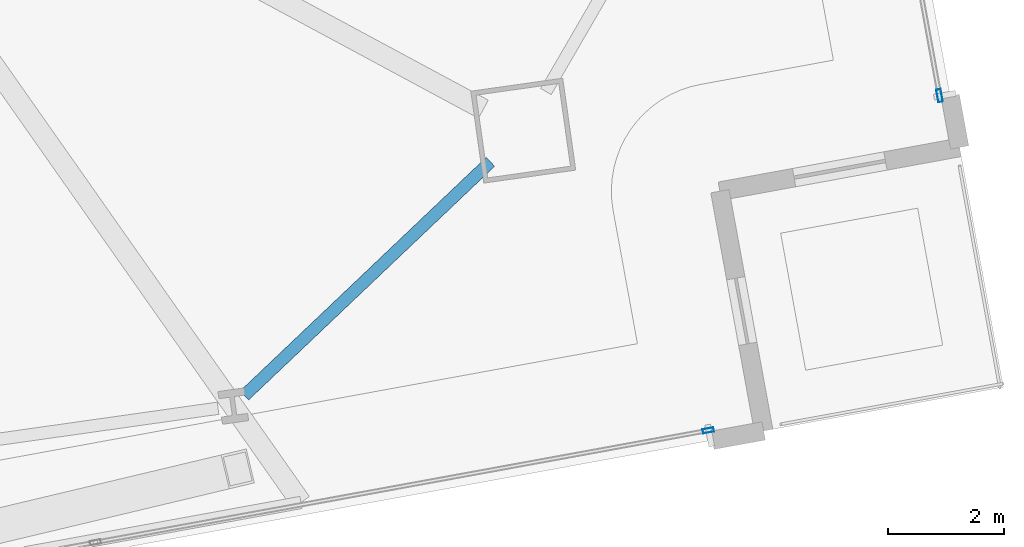
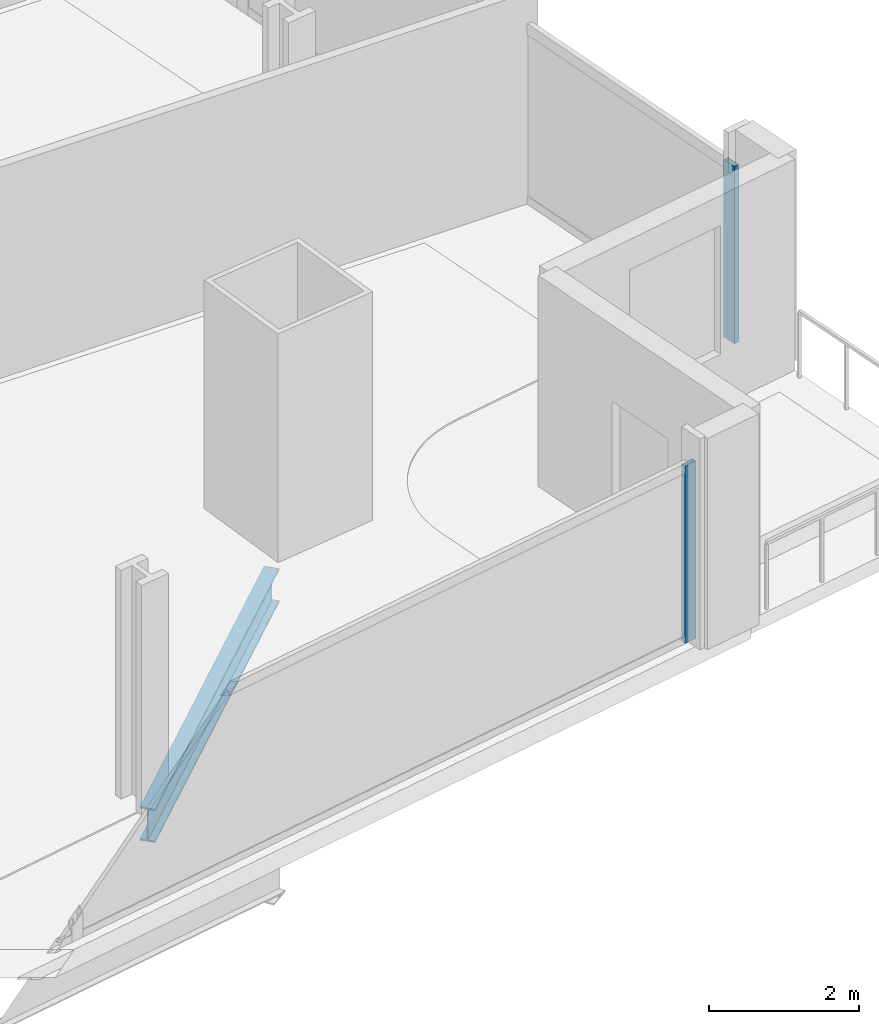
# One storey, part 11 of 34: 2 members, 1 beam, 2 elements without a shape of their own.
"""IFC4 building model written with IfcOpenShell, lengths in metres."""

import ifcopenshell
import ifcopenshell.guid

model = None  # the IFC model being written
_history = None  # IfcOwnerHistory: only IFC2X3 demands one
_inside = {}  # id of a spatial element -> (the spatial element, [elements in it])
_under = {}  # id of a project, library or spatial element -> (it, [spatial elements below it])
_declared = {}  # id of a project -> (the project, [libraries it declares])
_typed = {}  # id of a type object -> (the type object, [elements of that type])
_made_of = {}  # id of a material, layer set ... -> (it, [elements and type objects made of it])


def new_model(schema):
    """Start an empty IFC model of exactly this schema.

    Asked for "IFC4X3", IfcOpenShell would pick the latest addendum, in which some entities
    have other attributes; the version numbers below select the first issue.
    IFC2X3 requires an IfcOwnerHistory on every rooted entity: one is made here for all.
    """
    global model, _history
    if schema == "IFC4X3":
        model = ifcopenshell.file(schema_version=(4, 3, 0, 0))
    else:
        model = ifcopenshell.file(schema=schema)
    _inside.clear()
    _under.clear()
    _declared.clear()
    _typed.clear()
    _made_of.clear()
    _history = None
    if model.schema == "IFC2X3":
        org = make("IfcOrganization", Name="unknown")
        user = make(
            "IfcPersonAndOrganization",
            ThePerson=make("IfcPerson", FamilyName="unknown"),
            TheOrganization=org,
        )
        app = make(
            "IfcApplication",
            ApplicationDeveloper=org,
            Version="unknown",
            ApplicationFullName="unknown",
            ApplicationIdentifier="unknown",
        )
        _history = make(
            "IfcOwnerHistory",
            OwningUser=user,
            OwningApplication=app,
            ChangeAction="ADDED",
            CreationDate=0,
        )
    return model


def make(cls, **values):
    """One entity of the class cls with the attributes given. An attribute that is None is left unset."""
    return model.create_entity(
        cls, **{name: value for name, value in values.items() if value is not None}
    )


def rooted(cls, **values):
    """An entity with a GlobalId (a new one), such as an element, a storey or a relation."""
    return make(cls, GlobalId=ifcopenshell.guid.new(), OwnerHistory=_history, **values)


def si_unit(unit_type, name, prefix=None):
    """IfcSIUnit, for example si_unit("LENGTHUNIT", "METRE", prefix="MILLI")."""
    return make("IfcSIUnit", UnitType=unit_type, Prefix=prefix, Name=name)


def assignment(units):
    """IfcUnitAssignment: the units of a project."""
    return None if units is None else make("IfcUnitAssignment", Units=units)


def point(xyz):
    """IfcCartesianPoint."""
    return None if xyz is None else make("IfcCartesianPoint", Coordinates=xyz)


def direction(xyz):
    """IfcDirection."""
    return None if xyz is None else make("IfcDirection", DirectionRatios=xyz)


def frame(location, z_axis=None, x_axis=None):
    """IfcAxis2Placement3D, a coordinate frame: its origin and axes. An axis left out is left unset."""
    return make(
        "IfcAxis2Placement3D",
        Location=point(location),
        Axis=direction(z_axis),
        RefDirection=direction(x_axis),
    )


def frame_2d(location, x_axis=None):
    """IfcAxis2Placement2D, a coordinate frame in the plane: its origin and x axis."""
    return make(
        "IfcAxis2Placement2D", Location=point(location), RefDirection=direction(x_axis)
    )


def origin():
    """The frame at (0, 0, 0) with its axes left unset."""
    return frame((0.0, 0.0, 0.0))


def origin_2d():
    """The frame at (0, 0) in the plane with its x axis left unset."""
    return frame_2d((0.0, 0.0))


def place(relative_to, where):
    """IfcLocalPlacement: puts the frame where relative to a parent placement (None: the world)."""
    return make(
        "IfcLocalPlacement", PlacementRelTo=relative_to, RelativePlacement=where
    )


def context(
    kind, dimensions, precision=None, world=None, true_north=None, identifier=None
):
    """IfcGeometricRepresentationContext, for example the 3D "Model" context."""
    return make(
        "IfcGeometricRepresentationContext",
        ContextIdentifier=identifier,
        ContextType=kind,
        CoordinateSpaceDimension=dimensions,
        Precision=precision,
        WorldCoordinateSystem=world,
        TrueNorth=true_north,
    )


def subcontext(parent, identifier, kind, view, scale=None):
    """IfcGeometricRepresentationSubContext, for example "Body" below "Model"."""
    return make(
        "IfcGeometricRepresentationSubContext",
        ContextIdentifier=identifier,
        ContextType=kind,
        ParentContext=parent,
        TargetScale=scale,
        TargetView=view,
    )


def project(units=None, contexts=None):
    """IfcProject with its units and contexts."""
    return rooted(
        "IfcProject",
        Name="project",
        RepresentationContexts=contexts,
        UnitsInContext=assignment(units),
    )


def spatial(cls, under=None, at=None, **own):
    """A site, building, storey or space (cls), placed at a placement, below another one or the project."""
    s = rooted(cls, ObjectPlacement=at, **own)
    if under is not None:
        _under.setdefault(under.id(), (under, []))[1].append(s)
    return s


def profile(cls, at=None, kind="AREA", **sizes):
    """A parametric profile (cls). Its sizes go by their IFC names, for example OverallWidth=200.0."""
    return make(cls, ProfileType=kind, Position=at, **sizes)


def hollow_rectangle(**sizes):
    """IfcRectangleHollowProfileDef."""
    return profile("IfcRectangleHollowProfileDef", **sizes)


def i_section(**sizes):
    """IfcIShapeProfileDef."""
    return profile("IfcIShapeProfileDef", **sizes)


def extrude(swept, where, along, depth):
    """IfcExtrudedAreaSolid: the profile swept, set in the frame where, extruded along a direction by depth."""
    return make(
        "IfcExtrudedAreaSolid",
        SweptArea=swept,
        Position=where,
        ExtrudedDirection=direction(along),
        Depth=depth,
    )


def shape(context_of_items, identifier, shape_type, items):
    """IfcShapeRepresentation: the items that make up one representation, for example the "Body"."""
    return make(
        "IfcShapeRepresentation",
        ContextOfItems=context_of_items,
        RepresentationIdentifier=identifier,
        RepresentationType=shape_type,
        Items=items,
    )


def material(Name=None, Category=None):
    """IfcMaterial."""
    return make("IfcMaterial", Name=Name, Category=Category)


def material_profile(
    of_material, cross_section, Name=None, Category=None, Priority=None
):
    """IfcMaterialProfile: a cross section and its material."""
    return make(
        "IfcMaterialProfile",
        Name=Name,
        Material=of_material,
        Profile=cross_section,
        Priority=Priority,
        Category=Category,
    )


def profile_set(profiles, Name=None, composite=None):
    """IfcMaterialProfileSet."""
    return make(
        "IfcMaterialProfileSet",
        Name=Name,
        MaterialProfiles=profiles,
        CompositeProfile=composite,
    )


def made_of(thing, what):
    """Note that an element or type object is made of a material, layer set ...; save() writes the relation."""
    if what is not None:
        _made_of.setdefault(what.id(), (what, []))[1].append(thing)
    return thing


def type_object(cls, material=None, **own):
    """A type object (cls), such as IfcWallType, which elements share."""
    return made_of(rooted(cls, **own), material)


def element(
    cls,
    number,
    at=None,
    inside=None,
    cuts=None,
    type_object=None,
    material=None,
    context=None,
    identifier="Body",
    shape_type=None,
    held_by="IfcProductDefinitionShape",
    body=None,
    shapes=None,
    **own,
):
    """One element of the class cls, such as IfcWall. Its Tag is "e" and its number.

    at: its placement. inside: the storey or other place that contains it. cuts: it is an
    opening in that element (IfcRelVoidsElement). A single representation is given by context,
    identifier, shape_type and body (its items); several are given by shapes. held_by: the class
    of the entity that holds the representations. save() writes the other relations.
    """
    e = rooted(cls, Tag="e%d" % number, ObjectPlacement=at, **own)
    if body is not None:
        shapes = [shape(context, identifier, shape_type, body)]
    if shapes is not None:
        e.Representation = make(held_by, Representations=shapes)
    if inside is not None:
        _inside.setdefault(inside.id(), (inside, []))[1].append(e)
    if cuts is not None:
        rooted(
            "IfcRelVoidsElement", RelatingBuildingElement=cuts, RelatedOpeningElement=e
        )
    if type_object is not None:
        _typed.setdefault(type_object.id(), (type_object, []))[1].append(e)
    return made_of(e, material)


def aggregate(whole, parts):
    """IfcRelAggregates: a whole, such as a stair, and the parts it consists of."""
    return rooted("IfcRelAggregates", RelatingObject=whole, RelatedObjects=parts)


def save(model, path):
    """Write the relations noted so far, then the file.

    IfcRelAggregates (storeys below a building ...), IfcRelContainedInSpatialStructure (elements
    in a storey), IfcRelDefinesByType, IfcRelAssociatesMaterial and IfcRelDeclares: one each for
    every whole, place, type object, material and project.
    """
    for whole, parts in _under.values():
        aggregate(whole, parts)
    for where, things in _inside.values():
        rooted(
            "IfcRelContainedInSpatialStructure",
            RelatedElements=things,
            RelatingStructure=where,
        )
    for kind, things in _typed.values():
        rooted("IfcRelDefinesByType", RelatedObjects=things, RelatingType=kind)
    for what, things in _made_of.values():
        rooted("IfcRelAssociatesMaterial", RelatedObjects=things, RelatingMaterial=what)
    for by, libraries in _declared.values():
        rooted("IfcRelDeclares", RelatingContext=by, RelatedDefinitions=libraries)
    model.write(path)


model = new_model("IFC4")

# Units and contexts
model_context = context("Model", 3, precision=1e-05, world=origin(), true_north=direction((0.0, 1.0)))
body_context = subcontext(model_context, "Body", "Model", "MODEL_VIEW")
ifc_project = project(units=[si_unit("LENGTHUNIT", "METRE"), si_unit("AREAUNIT", "SQUARE_METRE"), si_unit("VOLUMEUNIT", "CUBIC_METRE"), si_unit("PLANEANGLEUNIT", "RADIAN"), si_unit("MASSUNIT", "GRAM", prefix="KILO")], contexts=[model_context])

# Site, building, storey
site_placement = place(None, origin())
site = spatial("IfcSite", under=ifc_project, at=site_placement, CompositionType="ELEMENT")
building_placement = place(site_placement, origin())
building = spatial("IfcBuilding", under=site, at=building_placement, Name="Haldenkirk Collegiate Tower", CompositionType="ELEMENT")
storey_placement = place(building_placement, frame((0.0, 0.0, 62.699951171875)))
storey = spatial("IfcBuildingStorey", under=building, at=storey_placement, Name="L14", CompositionType="ELEMENT", Elevation=62.699951171875)

# Beam
ifc_material_1 = material(Name="Steel ASTM A992 Grade 50", Category="steel")
ifc_material_profile_1 = material_profile(ifc_material_1, i_section(OverallWidth=0.2119140625, OverallDepth=0.5439453125, WebThickness=0.01318359375, FlangeThickness=0.021240234375, at=origin_2d()), Name="W21X83")
ifc_profile_set_1 = profile_set([ifc_material_profile_1], Name="Steel ASTM A992 Grade 50")
beam_type = type_object("IfcBeamType", Name="BM-SPANDREL-W21X83", PredefinedType="SPANDREL", material=ifc_profile_set_1)
beam_placement = place(storey_placement, frame((53.594482421875, 6.222412109375, -0.58203125), z_axis=(0.725113023209, 0.688629874151, 0.0), x_axis=(-0.688629874151, 0.725113023209, 0.0)))
element("IfcBeam", 1, at=beam_placement, inside=storey, type_object=beam_type, Name="L14 perimeter spandrel beam 04", PredefinedType="SPANDREL", context=body_context, shape_type="SweptSolid", body=[
    extrude(i_section(OverallWidth=0.2119140625, OverallDepth=0.5439453125, WebThickness=0.01318359375, FlangeThickness=0.021240234375, at=origin_2d()), origin(), (0.0, 0.0, 1.0), 5.8486328125),
])

# Curtain wall, member
ifc_material_2 = material(Name="Anodised architectural bronze aluminium", Category="aluminium")
curtain_wall_type_1 = type_object("IfcCurtainWallType", Name="CW-SYS2-CONCAVE", PredefinedType="USERDEFINED", material=ifc_material_2)
curtain_wall_1_placement = place(storey_placement, origin())
curtain_wall_1 = element("IfcCurtainWall", 2, at=curtain_wall_1_placement, inside=storey, type_object=curtain_wall_type_1, Name="L14 South concave recessed bronze-anodised curtain wall", ObjectType="UNITISED CURTAIN WALL", PredefinedType="USERDEFINED")
ifc_material_profile_2 = material_profile(ifc_material_2, hollow_rectangle(XDim=0.074951171875, YDim=0.18994140625, WallThickness=0.0048828125, at=origin_2d()), Name="CW-MUL-02")
ifc_profile_set_2 = profile_set([ifc_material_profile_2], Name="Anodised architectural bronze aluminium")
member_type_1 = type_object("IfcMemberType", Name="CW-MUL-02", PredefinedType="MULLION", material=ifc_profile_set_2)
member_1_placement = place(storey_placement, frame((61.59033203125, 5.620849609375, 0.0), z_axis=(0.0, 0.0, 1.0), x_axis=(0.179659417405, -0.983728872067, 0.0)))
member_1 = element("IfcMember", 3, at=member_1_placement, type_object=member_type_1, Name="CW-02 mullion 1", PredefinedType="MULLION", context=body_context, shape_type="SweptSolid", body=[
    extrude(hollow_rectangle(XDim=0.074951171875, YDim=0.18994140625, WallThickness=0.0048828125, at=origin_2d()), origin(), (0.0, 0.0, 1.0), 2.89111328125),
])
aggregate(curtain_wall_1, [member_1])

curtain_wall_type_2 = type_object("IfcCurtainWallType", Name="CW-SYS1-CONVEX-LOW", PredefinedType="USERDEFINED", material=ifc_material_2)
curtain_wall_2_placement = place(storey_placement, origin())
curtain_wall_2 = element("IfcCurtainWall", 4, at=curtain_wall_2_placement, inside=storey, type_object=curtain_wall_type_2, Name="L14 Lower tower convex bronze-framed unitised curtain wall", ObjectType="UNITISED CURTAIN WALL", PredefinedType="USERDEFINED")
ifc_material_profile_3 = material_profile(ifc_material_2, hollow_rectangle(XDim=0.080078125, YDim=0.219970703125, WallThickness=0.0048828125, at=origin_2d()), Name="CW-MUL-1A")
ifc_profile_set_3 = profile_set([ifc_material_profile_3], Name="Anodised architectural bronze aluminium")
member_type_2 = type_object("IfcMemberType", Name="CW-MUL-1A", PredefinedType="MULLION", material=ifc_profile_set_3)
member_2_placement = place(storey_placement, frame((65.575927734375, 11.39111328125, 0.0), z_axis=(0.0, 0.0, 1.0), x_axis=(0.983728214276, 0.179663019113, 0.0)))
member_2 = element("IfcMember", 5, at=member_2_placement, type_object=member_type_2, Name="CW-1A mullion 5", PredefinedType="MULLION", context=body_context, shape_type="SweptSolid", body=[
    extrude(hollow_rectangle(XDim=0.080078125, YDim=0.219970703125, WallThickness=0.0048828125, at=origin_2d()), origin(), (0.0, 0.0, 1.0), 2.89111328125),
])
aggregate(curtain_wall_2, [member_2])

save(model, "model.ifc")
